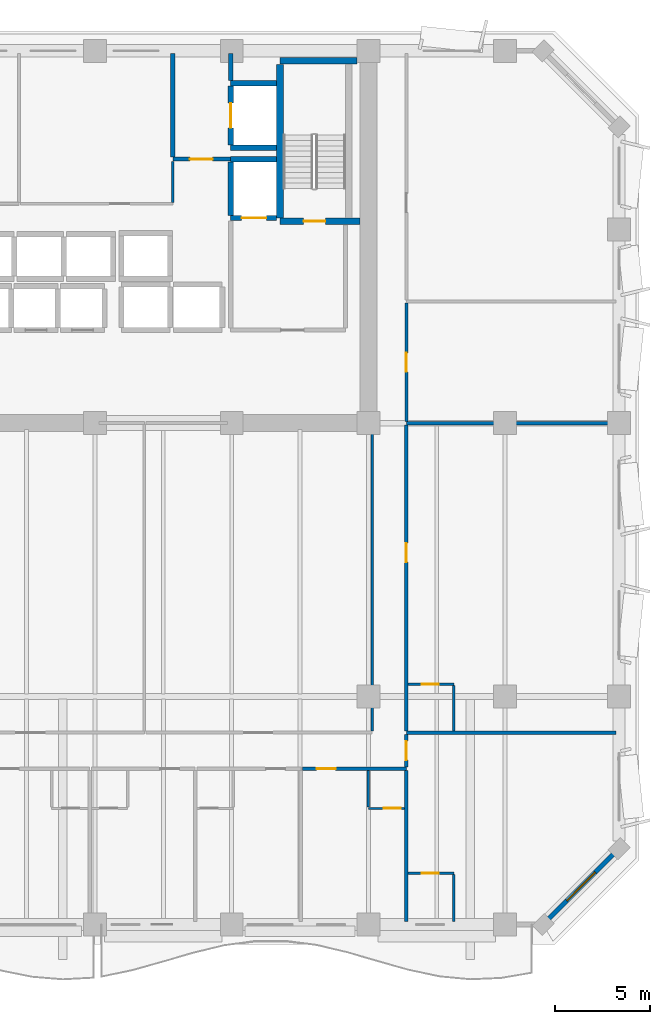
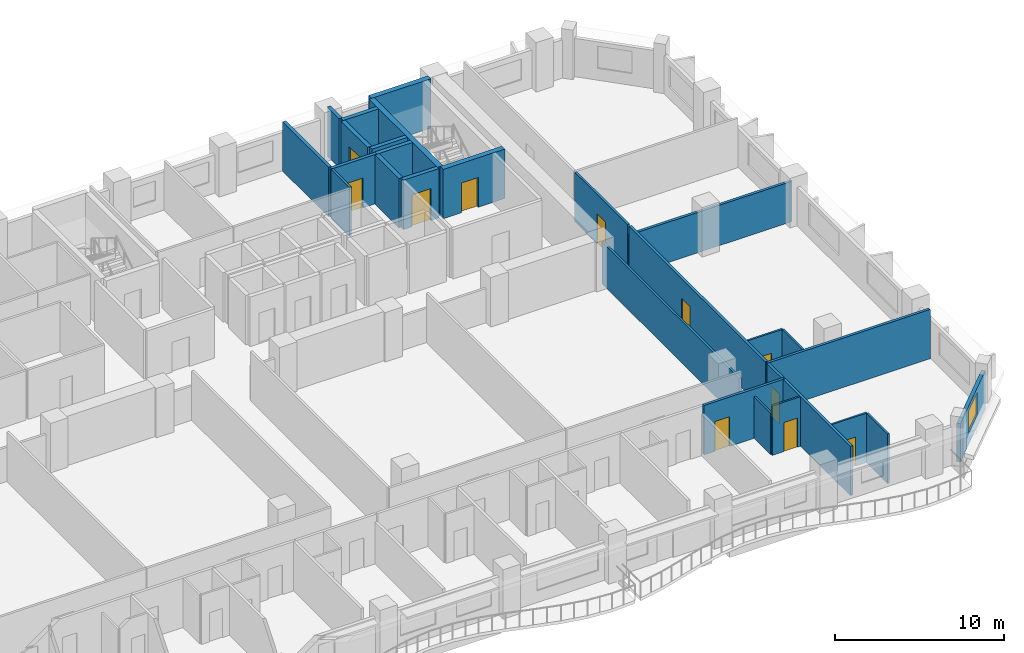
# One storey, part 9 of 15: 28 walls, 11 doors, 1 window, 12 openings.
"""IFC4 building model written with IfcOpenShell, lengths in metres."""

from ifc_helpers import new_model, si_unit, direction, frame, frame_2d, origin, place, context, subcontext, project, spatial, rectangle, extrude, material, layer, layer_set, type_object, element, fill, save


model = new_model("IFC4")

# Units and contexts
model_context = context("Model", 3, precision=1e-05, world=origin(), true_north=direction((0.0, 1.0)))
body_context = subcontext(model_context, "Body", "Model", "MODEL_VIEW")
ifc_project = project(units=[si_unit("LENGTHUNIT", "METRE"), si_unit("AREAUNIT", "SQUARE_METRE"), si_unit("VOLUMEUNIT", "CUBIC_METRE"), si_unit("PLANEANGLEUNIT", "RADIAN"), si_unit("MASSUNIT", "GRAM", prefix="KILO")], contexts=[model_context])

# Site, building, storey
site_placement = place(None, origin())
site = spatial("IfcSite", under=ifc_project, at=site_placement, CompositionType="ELEMENT")
building_placement = place(site_placement, origin())
building = spatial("IfcBuilding", under=site, at=building_placement, Name="Kaelvorn Grand Hotel", CompositionType="ELEMENT")
storey_placement = place(building_placement, frame((0.0, 0.0, 139.14990234375)))
storey = spatial("IfcBuildingStorey", under=building, at=storey_placement, Name="L33", CompositionType="ELEMENT", Elevation=139.14990234375)

# Wall, opening, window
ifc_material_1 = material(Name="Concrete C40/50", Category="concrete")
ifc_layer_1 = layer(ifc_material_1, 0.239990234375)
ifc_layer_set_1 = layer_set([ifc_layer_1], Name="Concrete C40/50")
wall_type_1 = type_object("IfcWallType", Name="WL-EXT-240-C40", PredefinedType="SOLIDWALL", material=ifc_layer_set_1)
wall_1_placement = place(storey_placement, frame((77.0, 3.0, 0.0), z_axis=(0.0, 0.0, 1.0), x_axis=(0.707106781187, 0.707106781187, 0.0)))
wall_1 = element("IfcWall", 1, at=wall_1_placement, inside=storey, type_object=wall_type_1, Name="L33 Exterior Architectural Concrete Wall 02", PredefinedType="SOLIDWALL", context=body_context, shape_type="SweptSolid", body=[
    extrude(rectangle(XDim=5.65673828125, YDim=0.239990234375, at=frame_2d((2.828369140625, 0.0))), origin(), (0.0, 0.0, 1.0), 2.760009765625),
])
opening_1_placement = place(wall_1_placement, frame((1.7783203125, 0.0, 0.85009765625)))
opening_1 = element("IfcOpeningElement", 2, at=opening_1_placement, cuts=wall_1, Name="Opening W7", PredefinedType="OPENING", context=body_context, shape_type="SweptSolid", body=[
    extrude(rectangle(XDim=2.10009765625, YDim=1.60009765625, at=frame_2d((1.050048828125, 0.800048828125))), frame((0.0, 0.1298828125, 0.0), z_axis=(0.0, -1.0, 0.0), x_axis=(1.0, 0.0, 0.0)), (0.0, 0.0, 1.0), 0.260009765625),
])
ifc_material_2 = material(Name="Laminated Low-E Glass", Category="glass")
window_type = type_object("IfcWindowType", Name="WIN-CHM-2100x1600", PartitioningType="SINGLE_PANEL", PredefinedType="WINDOW", material=ifc_material_2)
window_placement = place(opening_1_placement, origin())
window = element("IfcWindow", 3, at=window_placement, inside=storey, type_object=window_type, Name="L33 Chamfered 45-Degree Corner Window SE", OverallHeight=1.60009765625, OverallWidth=2.10009765625, PartitioningType="SINGLE_PANEL", PredefinedType="WINDOW", context=body_context, shape_type="SweptSolid", body=[
    extrude(rectangle(XDim=2.10009765625, YDim=1.60009765625, at=frame_2d((1.050048828125, 0.800048828125))), frame((0.0, 0.030029296875, 0.0), z_axis=(0.0, -1.0, 0.0), x_axis=(1.0, 0.0, 0.0)), (0.0, 0.0, 1.0), 0.06005859375),
])
fill(opening_1, window)

# Wall, opening, door
ifc_material_3 = material(Name="Moisture-Resistant Tile & Stud Board")
ifc_layer_2 = layer(ifc_material_3, 0.125)
ifc_layer_set_2 = layer_set([ifc_layer_2], Name="Moisture-Resistant Tile & Stud Board")
wall_type_2 = type_object("IfcWallType", Name="WL-PART-125-WET", PredefinedType="PARTITIONING", material=ifc_layer_set_2)
wall_2_placement = place(storey_placement, frame((67.800048828125, 9.110107421875, 0.0), z_axis=(0.0, 0.0, 1.0), x_axis=(1.0, 0.0, 0.0)))
wall_2 = element("IfcWall", 4, at=wall_2_placement, inside=storey, type_object=wall_type_2, Name="L33 En-suite Bathroom L33-10 S Partition", PredefinedType="PARTITIONING", context=body_context, shape_type="SweptSolid", body=[
    extrude(rectangle(XDim=1.905029296875, YDim=0.125, at=frame_2d((0.95263671875, 0.0))), origin(), (0.0, 0.0, 1.0), 3.56005859375),
])
opening_2_placement = place(wall_2_placement, frame((0.800048828125, 0.0, 0.0)))
opening_2 = element("IfcOpeningElement", 5, at=opening_2_placement, cuts=wall_2, Name="Opening DI4", PredefinedType="OPENING", context=body_context, shape_type="SweptSolid", body=[
    extrude(rectangle(XDim=0.89990234375, YDim=2.10009765625, at=frame_2d((0.449951171875, 1.050048828125))), frame((0.0, 0.072509765625, 0.0), z_axis=(0.0, -1.0, 0.0), x_axis=(1.0, 0.0, 0.0)), (0.0, 0.0, 1.0), 0.14501953125),
])
ifc_material_4 = material(Name="Timber Veneer Leaf", Category="wood")
door_type_1 = type_object("IfcDoorType", Name="DR-INT-BATH-900x2100", OperationType="NOTDEFINED", PredefinedType="DOOR", material=ifc_material_4)
door_1_placement = place(opening_2_placement, origin())
door_1 = element("IfcDoor", 6, at=door_1_placement, inside=storey, type_object=door_type_1, Name="L33 En-suite Bathroom L33-10 Door", OperationType="SINGLE_SWING_RIGHT", OverallHeight=2.10009765625, OverallWidth=0.89990234375, PredefinedType="DOOR", context=body_context, shape_type="SweptSolid", body=[
    extrude(rectangle(XDim=0.89990234375, YDim=2.10009765625, at=frame_2d((0.449951171875, 1.050048828125))), frame((0.0, 0.02490234375, 0.0), z_axis=(0.0, -1.0, 0.0), x_axis=(1.0, 0.0, 0.0)), (0.0, 0.0, 1.0), 0.050048828125),
])
fill(opening_2, door_1)

# Wall
wall_3_placement = place(storey_placement, frame((67.800048828125, 9.177490234375, 0.0), z_axis=(0.0, 0.0, 1.0), x_axis=(0.0, 1.0, 0.0)))
element("IfcWall", 7, at=wall_3_placement, inside=storey, type_object=wall_type_2, Name="L33 En-suite Bathroom L33-10 W Partition", PredefinedType="PARTITIONING", context=body_context, shape_type="SweptSolid", body=[
    extrude(rectangle(XDim=1.927490234375, YDim=0.125, at=frame_2d((0.9638671875, 0.0))), origin(), (0.0, 0.0, 1.0), 3.010009765625),
])

# Wall, opening, door
wall_4_placement = place(storey_placement, frame((69.89501953125, 5.699951171875, 0.0), z_axis=(0.0, 0.0, 1.0), x_axis=(1.0, 0.0, 0.0)))
wall_4 = element("IfcWall", 8, at=wall_4_placement, inside=storey, type_object=wall_type_2, Name="L33 En-suite Bathroom L33-13 N Partition", PredefinedType="PARTITIONING", context=body_context, shape_type="SweptSolid", body=[
    extrude(rectangle(XDim=2.405029296875, YDim=0.125, at=frame_2d((1.20263671875, 0.0))), origin(), (0.0, 0.0, 1.0), 3.56005859375),
])
opening_3_placement = place(wall_4_placement, frame((0.705078125, 0.0, 0.0)))
opening_3 = element("IfcOpeningElement", 9, at=opening_3_placement, cuts=wall_4, Name="Opening DI4", PredefinedType="OPENING", context=body_context, shape_type="SweptSolid", body=[
    extrude(rectangle(XDim=0.89990234375, YDim=2.10009765625, at=frame_2d((0.449951171875, 1.050048828125))), frame((0.0, 0.072509765625, 0.0), z_axis=(0.0, -1.0, 0.0), x_axis=(1.0, 0.0, 0.0)), (0.0, 0.0, 1.0), 0.14501953125),
])
door_2_placement = place(opening_3_placement, origin())
door_2 = element("IfcDoor", 10, at=door_2_placement, inside=storey, type_object=door_type_1, Name="L33 En-suite Bathroom L33-13 Door", OperationType="SINGLE_SWING_RIGHT", OverallHeight=2.10009765625, OverallWidth=0.89990234375, PredefinedType="DOOR", context=body_context, shape_type="SweptSolid", body=[
    extrude(rectangle(XDim=0.89990234375, YDim=2.10009765625, at=frame_2d((0.449951171875, 1.050048828125))), frame((0.0, 0.02490234375, 0.0), z_axis=(0.0, -1.0, 0.0), x_axis=(1.0, 0.0, 0.0)), (0.0, 0.0, 1.0), 0.050048828125),
])
fill(opening_3, door_2)

# Wall
wall_5_placement = place(storey_placement, frame((72.300048828125, 3.14990234375, 0.0), z_axis=(0.0, 0.0, 1.0), x_axis=(0.0, 1.0, 0.0)))
element("IfcWall", 11, at=wall_5_placement, inside=storey, type_object=wall_type_2, Name="L33 En-suite Bathroom L33-13 E Partition", PredefinedType="PARTITIONING", context=body_context, shape_type="SweptSolid", body=[
    extrude(rectangle(XDim=2.482666015625, YDim=0.125, at=frame_2d((1.2412109375, 0.0))), origin(), (0.0, 0.0, 1.0), 3.56005859375),
])

# Wall, opening, door
wall_6_placement = place(storey_placement, frame((69.89501953125, 15.64990234375, 0.0), z_axis=(0.0, 0.0, 1.0), x_axis=(1.0, 0.0, 0.0)))
wall_6 = element("IfcWall", 12, at=wall_6_placement, inside=storey, type_object=wall_type_2, Name="L33 En-suite Bathroom L33-14 N Partition", PredefinedType="PARTITIONING", context=body_context, shape_type="SweptSolid", body=[
    extrude(rectangle(XDim=2.405029296875, YDim=0.125, at=frame_2d((1.20263671875, 0.0))), origin(), (0.0, 0.0, 1.0), 3.56005859375),
])
opening_4_placement = place(wall_6_placement, frame((0.705078125, 0.0, 0.0)))
opening_4 = element("IfcOpeningElement", 13, at=opening_4_placement, cuts=wall_6, Name="Opening DI4", PredefinedType="OPENING", context=body_context, shape_type="SweptSolid", body=[
    extrude(rectangle(XDim=0.89990234375, YDim=2.10009765625, at=frame_2d((0.449951171875, 1.050048828125))), frame((0.0, 0.072509765625, 0.0), z_axis=(0.0, -1.0, 0.0), x_axis=(1.0, 0.0, 0.0)), (0.0, 0.0, 1.0), 0.14501953125),
])
door_3_placement = place(opening_4_placement, origin())
door_3 = element("IfcDoor", 14, at=door_3_placement, inside=storey, type_object=door_type_1, Name="L33 En-suite Bathroom L33-14 Door", OperationType="SINGLE_SWING_RIGHT", OverallHeight=2.10009765625, OverallWidth=0.89990234375, PredefinedType="DOOR", context=body_context, shape_type="SweptSolid", body=[
    extrude(rectangle(XDim=0.89990234375, YDim=2.10009765625, at=frame_2d((0.449951171875, 1.050048828125))), frame((0.0, 0.02490234375, 0.0), z_axis=(0.0, -1.0, 0.0), x_axis=(1.0, 0.0, 0.0)), (0.0, 0.0, 1.0), 0.050048828125),
])
fill(opening_4, door_3)

# Walls
wall_7_placement = place(storey_placement, frame((72.300048828125, 13.195068359375, 0.0), z_axis=(0.0, 0.0, 1.0), x_axis=(0.0, 1.0, 0.0)))
element("IfcWall", 15, at=wall_7_placement, inside=storey, type_object=wall_type_2, Name="L33 En-suite Bathroom L33-14 E Partition", PredefinedType="PARTITIONING", context=body_context, shape_type="SweptSolid", body=[
    extrude(rectangle(XDim=2.387451171875, YDim=0.125, at=frame_2d((1.19384765625, 0.0))), origin(), (0.0, 0.0, 1.0), 3.56005859375),
])
ifc_material_5 = material(Name="Acoustic Gypsum & Stud Partition")
ifc_layer_3 = layer(ifc_material_5, 0.14990234375)
ifc_layer_set_3 = layer_set([ifc_layer_3], Name="Acoustic Gypsum & Stud Partition")
wall_type_3 = type_object("IfcWallType", Name="WL-PART-150-EI60", PredefinedType="PARTITIONING", material=ifc_layer_set_3)
wall_8_placement = place(storey_placement, frame((57.5, 41.030029296875, 0.0), z_axis=(0.0, 0.0, 1.0), x_axis=(0.0, 1.0, 0.0)))
element("IfcWall", 16, at=wall_8_placement, inside=storey, type_object=wall_type_3, Name="L33 Butler Servery Pantry E Partition", PredefinedType="PARTITIONING", context=body_context, shape_type="SweptSolid", body=[
    extrude(rectangle(XDim=2.155029296875, YDim=0.14990234375, at=frame_2d((1.07763671875, 0.0))), origin(), (0.0, 0.0, 1.0), 3.56005859375),
])
wall_9_placement = place(storey_placement, frame((68.0, 13.179931640625, 0.0), z_axis=(0.0, 0.0, 1.0), x_axis=(0.0, 1.0, 0.0)))
element("IfcWall", 17, at=wall_9_placement, inside=storey, type_object=wall_type_3, Name="L33 Wellness Fitness Gym E Partition", PredefinedType="PARTITIONING", context=body_context, shape_type="SweptSolid", body=[
    extrude(rectangle(XDim=16.2099609375, YDim=0.14990234375, at=frame_2d((8.10498046875, 0.0))), origin(), (0.0, 0.0, 1.0), 3.010009765625),
])

# Wall, opening, door
wall_10_placement = place(storey_placement, frame((69.800048828125, 29.4951171875, 0.0), z_axis=(0.0, 0.0, 1.0), x_axis=(0.0, 1.0, 0.0)))
wall_10 = element("IfcWall", 18, at=wall_10_placement, inside=storey, type_object=wall_type_3, Name="L33 North-East Wellness Fitness Gym W Partition", PredefinedType="PARTITIONING", context=body_context, shape_type="SweptSolid", body=[
    extrude(rectangle(XDim=6.224853515625, YDim=0.14990234375, at=frame_2d((3.1123046875, 0.0))), origin(), (0.0, 0.0, 1.0), 3.56005859375),
])
opening_5_placement = place(wall_10_placement, frame((2.60498046875, 0.0, 0.0)))
opening_5 = element("IfcOpeningElement", 19, at=opening_5_placement, cuts=wall_10, Name="Opening DI3", PredefinedType="OPENING", context=body_context, shape_type="SweptSolid", body=[
    extrude(rectangle(XDim=1.0, YDim=2.14990234375, at=frame_2d((0.5, 1.074951171875))), frame((0.0, 0.0849609375, 0.0), z_axis=(0.0, -1.0, 0.0), x_axis=(1.0, 0.0, 0.0)), (0.0, 0.0, 1.0), 0.169921875),
])
ifc_material_6 = material(Name="Timber Veneer Fire Leaf", Category="wood")
door_type_2 = type_object("IfcDoorType", Name="DR-INT-GUEST-1000x2150", OperationType="NOTDEFINED", PredefinedType="DOOR", material=ifc_material_6)
door_4_placement = place(opening_5_placement, origin())
door_4 = element("IfcDoor", 20, at=door_4_placement, inside=storey, type_object=door_type_2, Name="L33 North-East Wellness Fitness Gym Door", OperationType="SINGLE_SWING_LEFT", OverallHeight=2.14990234375, OverallWidth=1.0, PredefinedType="DOOR", context=body_context, shape_type="SweptSolid", body=[
    extrude(rectangle(XDim=1.0, YDim=2.14990234375, at=frame_2d((0.5, 1.074951171875))), frame((0.0, 0.02490234375, 0.0), z_axis=(0.0, -1.0, 0.0), x_axis=(1.0, 0.0, 0.0)), (0.0, 0.0, 1.0), 0.050048828125),
])
fill(opening_5, door_4)

ifc_layer_4 = layer(ifc_material_5, 0.179931640625)
ifc_layer_set_4 = layer_set([ifc_layer_4], Name="Acoustic Gypsum & Stud Partition")
wall_type_4 = type_object("IfcWallType", Name="WL-PART-180-EI60", PredefinedType="PARTITIONING", material=ifc_layer_set_4)
wall_11_placement = place(storey_placement, frame((64.3349609375, 11.199951171875, 0.0), z_axis=(0.0, 0.0, 1.0), x_axis=(1.0, 0.0, 0.0)))
wall_11 = element("IfcWall", 21, at=wall_11_placement, inside=storey, type_object=wall_type_4, Name="L33 Superior King Guest Room L33-10 N Partition", PredefinedType="PARTITIONING", context=body_context, shape_type="SweptSolid", body=[
    extrude(rectangle(XDim=5.465087890625, YDim=0.179931640625, at=frame_2d((2.732421875, 0.0))), origin(), (0.0, 0.0, 1.0), 3.56005859375),
])
opening_6_placement = place(wall_11_placement, frame((0.735107421875, 0.0, 0.0)))
opening_6 = element("IfcOpeningElement", 22, at=opening_6_placement, cuts=wall_11, Name="Opening DI3", PredefinedType="OPENING", context=body_context, shape_type="SweptSolid", body=[
    extrude(rectangle(XDim=1.0, YDim=2.14990234375, at=frame_2d((0.5, 1.074951171875))), frame((0.0, 0.10009765625, 0.0), z_axis=(0.0, -1.0, 0.0), x_axis=(1.0, 0.0, 0.0)), (0.0, 0.0, 1.0), 0.199951171875),
])
door_5_placement = place(opening_6_placement, origin())
door_5 = element("IfcDoor", 23, at=door_5_placement, inside=storey, type_object=door_type_2, Name="L33 Superior King Guest Room L33-10 Door", OperationType="SINGLE_SWING_LEFT", OverallHeight=2.14990234375, OverallWidth=1.0, PredefinedType="DOOR", context=body_context, shape_type="SweptSolid", body=[
    extrude(rectangle(XDim=1.0, YDim=2.14990234375, at=frame_2d((0.5, 1.074951171875))), frame((0.0, 0.02490234375, 0.0), z_axis=(0.0, -1.0, 0.0), x_axis=(1.0, 0.0, 0.0)), (0.0, 0.0, 1.0), 0.050048828125),
])
fill(opening_6, door_5)

# Walls
wall_12_placement = place(storey_placement, frame((69.800048828125, 3.14990234375, 0.0), z_axis=(0.0, 0.0, 1.0), x_axis=(0.0, 1.0, 0.0)))
element("IfcWall", 24, at=wall_12_placement, inside=storey, type_object=wall_type_4, Name="L33 Superior King Guest Room L33-10 E Partition", PredefinedType="PARTITIONING", context=body_context, shape_type="SweptSolid", body=[
    extrude(rectangle(XDim=7.955078125, YDim=0.179931640625, at=frame_2d((3.9775390625, 0.0))), origin(), (0.0, 0.0, 1.0), 3.56005859375),
])
wall_13_placement = place(storey_placement, frame((69.800048828125, 13.10009765625, 0.0), z_axis=(0.0, 0.0, 1.0), x_axis=(1.0, 0.0, 0.0)))
element("IfcWall", 25, at=wall_13_placement, inside=storey, type_object=wall_type_4, Name="L33 South-East Chamfer Suite L33-13 N Partition", PredefinedType="PARTITIONING", context=body_context, shape_type="SweptSolid", body=[
    extrude(rectangle(XDim=11.050048828125, YDim=0.179931640625, at=frame_2d((5.52490234375, 0.0))), origin(), (0.0, 0.0, 1.0), 3.56005859375),
])

# Wall, opening, door
wall_14_placement = place(storey_placement, frame((69.800048828125, 11.294921875, 0.0), z_axis=(0.0, 0.0, 1.0), x_axis=(0.0, 1.0, 0.0)))
wall_14 = element("IfcWall", 26, at=wall_14_placement, inside=storey, type_object=wall_type_4, Name="L33 South-East Chamfer Suite L33-13 W Partition", PredefinedType="PARTITIONING", context=body_context, shape_type="SweptSolid", body=[
    extrude(rectangle(XDim=1.7099609375, YDim=0.179931640625, at=frame_2d((0.85498046875, 0.0))), origin(), (0.0, 0.0, 1.0), 3.56005859375),
])
opening_7_placement = place(wall_14_placement, frame((0.35498046875, 0.0, 0.0)))
opening_7 = element("IfcOpeningElement", 27, at=opening_7_placement, cuts=wall_14, Name="Opening DI3", PredefinedType="OPENING", context=body_context, shape_type="SweptSolid", body=[
    extrude(rectangle(XDim=1.0, YDim=2.14990234375, at=frame_2d((0.5, 1.074951171875))), frame((0.0, 0.10009765625, 0.0), z_axis=(0.0, -1.0, 0.0), x_axis=(1.0, 0.0, 0.0)), (0.0, 0.0, 1.0), 0.199951171875),
])
door_6_placement = place(opening_7_placement, origin())
door_6 = element("IfcDoor", 28, at=door_6_placement, inside=storey, type_object=door_type_2, Name="L33 South-East Chamfer Suite L33-13 Door", OperationType="SINGLE_SWING_LEFT", OverallHeight=2.14990234375, OverallWidth=1.0, PredefinedType="DOOR", context=body_context, shape_type="SweptSolid", body=[
    extrude(rectangle(XDim=1.0, YDim=2.14990234375, at=frame_2d((0.5, 1.074951171875))), frame((0.0, 0.02490234375, 0.0), z_axis=(0.0, -1.0, 0.0), x_axis=(1.0, 0.0, 0.0)), (0.0, 0.0, 1.0), 0.050048828125),
])
fill(opening_7, door_6)

# Wall
wall_15_placement = place(storey_placement, frame((69.800048828125, 29.39990234375, 0.0), z_axis=(0.0, 0.0, 1.0), x_axis=(1.0, 0.0, 0.0)))
element("IfcWall", 29, at=wall_15_placement, inside=storey, type_object=wall_type_4, Name="L33 East End Panoramic Suite L33-14 N Partition", PredefinedType="PARTITIONING", context=body_context, shape_type="SweptSolid", body=[
    extrude(rectangle(XDim=11.050048828125, YDim=0.179931640625, at=frame_2d((5.52490234375, 0.0))), origin(), (0.0, 0.0, 1.0), 2.91015625),
])

# Wall, opening, door
wall_16_placement = place(storey_placement, frame((69.800048828125, 13.195068359375, 0.0), z_axis=(0.0, 0.0, 1.0), x_axis=(0.0, 1.0, 0.0)))
wall_16 = element("IfcWall", 30, at=wall_16_placement, inside=storey, type_object=wall_type_4, Name="L33 East End Panoramic Suite L33-14 W Partition", PredefinedType="PARTITIONING", context=body_context, shape_type="SweptSolid", body=[
    extrude(rectangle(XDim=16.10986328125, YDim=0.179931640625, at=frame_2d((8.054931640625, 0.0))), origin(), (0.0, 0.0, 1.0), 3.56005859375),
])
opening_8_placement = place(wall_16_placement, frame((8.889892578125, 0.0, 0.0)))
opening_8 = element("IfcOpeningElement", 31, at=opening_8_placement, cuts=wall_16, Name="Opening DI3", PredefinedType="OPENING", context=body_context, shape_type="SweptSolid", body=[
    extrude(rectangle(XDim=1.0, YDim=2.14990234375, at=frame_2d((0.5, 1.074951171875))), frame((0.0, 0.10009765625, 0.0), z_axis=(0.0, -1.0, 0.0), x_axis=(1.0, 0.0, 0.0)), (0.0, 0.0, 1.0), 0.199951171875),
])
door_7_placement = place(opening_8_placement, origin())
door_7 = element("IfcDoor", 32, at=door_7_placement, inside=storey, type_object=door_type_2, Name="L33 East End Panoramic Suite L33-14 Door", OperationType="SINGLE_SWING_LEFT", OverallHeight=2.14990234375, OverallWidth=1.0, PredefinedType="DOOR", context=body_context, shape_type="SweptSolid", body=[
    extrude(rectangle(XDim=1.0, YDim=2.14990234375, at=frame_2d((0.5, 1.074951171875))), frame((0.0, 0.02490234375, 0.0), z_axis=(0.0, -1.0, 0.0), x_axis=(1.0, 0.0, 0.0)), (0.0, 0.0, 1.0), 0.050048828125),
])
fill(opening_8, door_7)

ifc_layer_5 = layer(ifc_material_1, 0.219970703125)
ifc_layer_set_5 = layer_set([ifc_layer_5], Name="Concrete C40/50")
wall_type_5 = type_object("IfcWallType", Name="WL-PART-220-EI120", PredefinedType="PARTITIONING", material=ifc_layer_set_5)
wall_17_placement = place(storey_placement, frame((57.5, 43.300048828125, 0.0), z_axis=(0.0, 0.0, 1.0), x_axis=(1.0, 0.0, 0.0)))
wall_17 = element("IfcWall", 33, at=wall_17_placement, inside=storey, type_object=wall_type_5, Name="L33 Service Lift Lobby S Partition", PredefinedType="PARTITIONING", context=body_context, shape_type="SweptSolid", body=[
    extrude(rectangle(XDim=3.0400390625, YDim=0.219970703125, at=frame_2d((1.52001953125, 0.0))), origin(), (0.0, 0.0, 1.0), 3.56005859375),
])
opening_9_placement = place(wall_17_placement, frame((0.89990234375, 0.0, 0.0)))
opening_9 = element("IfcOpeningElement", 34, at=opening_9_placement, cuts=wall_17, Name="Opening DI2", PredefinedType="OPENING", context=body_context, shape_type="SweptSolid", body=[
    extrude(rectangle(XDim=1.199951171875, YDim=2.14990234375, at=frame_2d((0.60009765625, 1.074951171875))), frame((0.0, 0.1201171875, 0.0), z_axis=(0.0, -1.0, 0.0), x_axis=(1.0, 0.0, 0.0)), (0.0, 0.0, 1.0), 0.239990234375),
])
door_type_3 = type_object("IfcDoorType", Name="DR-INT-FFLOB-1200x2150", OperationType="NOTDEFINED", PredefinedType="DOOR", material=ifc_material_6)
door_8_placement = place(opening_9_placement, origin())
door_8 = element("IfcDoor", 35, at=door_8_placement, inside=storey, type_object=door_type_3, Name="L33 Service Lift Lobby Door", OperationType="SINGLE_SWING_LEFT", OverallHeight=2.14990234375, OverallWidth=1.199951171875, PredefinedType="DOOR", context=body_context, shape_type="SweptSolid", body=[
    extrude(rectangle(XDim=1.199951171875, YDim=2.14990234375, at=frame_2d((0.60009765625, 1.074951171875))), frame((0.0, 0.02490234375, 0.0), z_axis=(0.0, -1.0, 0.0), x_axis=(1.0, 0.0, 0.0)), (0.0, 0.0, 1.0), 0.050048828125),
])
fill(opening_9, door_8)

# Walls
wall_18_placement = place(storey_placement, frame((57.5, 43.4150390625, 0.0), z_axis=(0.0, 0.0, 1.0), x_axis=(0.0, 1.0, 0.0)))
element("IfcWall", 36, at=wall_18_placement, inside=storey, type_object=wall_type_5, Name="L33 Service Lift Lobby W Partition", PredefinedType="PARTITIONING", context=body_context, shape_type="SweptSolid", body=[
    extrude(rectangle(XDim=5.43505859375, YDim=0.219970703125, at=frame_2d((2.717529296875, 0.0))), origin(), (0.0, 0.0, 1.0), 3.56005859375),
])
wall_19_placement = place(storey_placement, frame((60.550048828125, 47.445068359375, 0.0), z_axis=(0.0, 0.0, 1.0), x_axis=(0.0, 1.0, 0.0)))
element("IfcWall", 37, at=wall_19_placement, inside=storey, type_object=wall_type_5, Name="L33 Service Lift Lobby E Partition", PredefinedType="PARTITIONING", context=body_context, shape_type="SweptSolid", body=[
    extrude(rectangle(XDim=1.405029296875, YDim=0.219970703125, at=frame_2d((0.70263671875, 0.0))), origin(), (0.0, 0.0, 1.0), 3.56005859375),
])

# Wall, opening, door
ifc_material_7 = material(Name="Concrete C50/60", Category="concrete")
ifc_layer_6 = layer(ifc_material_7, 0.280029296875)
ifc_layer_set_6 = layer_set([ifc_layer_6], Name="Concrete C50/60")
wall_type_6 = type_object("IfcWallType", Name="WL-SHAFT-280-C50", PredefinedType="SHEAR", material=ifc_layer_set_6)
wall_20_placement = place(storey_placement, frame((60.550048828125, 40.199951171875, 0.0), z_axis=(0.0, 0.0, 1.0), x_axis=(1.0, 0.0, 0.0)))
wall_20 = element("IfcWall", 38, at=wall_20_placement, inside=storey, type_object=wall_type_6, Name="L33 Lift FFL2 Shaft South Wall", PredefinedType="SHEAR", context=body_context, shape_type="SweptSolid", body=[
    extrude(rectangle(XDim=2.4150390625, YDim=0.280029296875, at=frame_2d((1.20751953125, 0.0))), origin(), (0.0, 0.0, 1.0), 3.56005859375),
])
opening_10_placement = place(wall_20_placement, frame((0.574951171875, 0.0, 0.0)))
opening_10 = element("IfcOpeningElement", 39, at=opening_10_placement, cuts=wall_20, Name="Opening LD-FFL2", PredefinedType="OPENING", context=body_context, shape_type="SweptSolid", body=[
    extrude(rectangle(XDim=1.300048828125, YDim=2.300048828125, at=frame_2d((0.64990234375, 1.14990234375))), frame((0.0, 0.14990234375, 0.0), z_axis=(0.0, -1.0, 0.0), x_axis=(1.0, 0.0, 0.0)), (0.0, 0.0, 1.0), 0.300048828125),
])
ifc_material_8 = material(Name="Stainless Steel", Category="steel")
door_type_4 = type_object("IfcDoorType", Name="DR-LIFT-SERV-1300x2300", OperationType="DOUBLE_DOOR_SLIDING", PredefinedType="DOOR", material=ifc_material_8)
door_9_placement = place(opening_10_placement, origin())
door_9 = element("IfcDoor", 40, at=door_9_placement, inside=storey, type_object=door_type_4, Name="L33 Lift FFL2 Sliding Landing Door LD-FFL2", OperationType="DOUBLE_DOOR_SLIDING", OverallHeight=2.300048828125, OverallWidth=1.300048828125, PredefinedType="DOOR", context=body_context, shape_type="SweptSolid", body=[
    extrude(rectangle(XDim=1.300048828125, YDim=2.300048828125, at=frame_2d((0.64990234375, 1.14990234375))), frame((0.0, 0.02490234375, 0.0), z_axis=(0.0, -1.0, 0.0), x_axis=(1.0, 0.0, 0.0)), (0.0, 0.0, 1.0), 0.050048828125),
])
fill(opening_10, door_9)

# Walls
wall_21_placement = place(storey_placement, frame((60.550048828125, 43.300048828125, 0.0), z_axis=(0.0, 0.0, 1.0), x_axis=(1.0, 0.0, 0.0)))
element("IfcWall", 41, at=wall_21_placement, inside=storey, type_object=wall_type_6, Name="L33 Lift FFL2 Shaft North Wall", PredefinedType="SHEAR", context=body_context, shape_type="SweptSolid", body=[
    extrude(rectangle(XDim=2.4150390625, YDim=0.280029296875, at=frame_2d((1.20751953125, 0.0))), origin(), (0.0, 0.0, 1.0), 3.56005859375),
])
wall_22_placement = place(storey_placement, frame((60.550048828125, 40.344970703125, 0.0), z_axis=(0.0, 0.0, 1.0), x_axis=(0.0, 1.0, 0.0)))
element("IfcWall", 42, at=wall_22_placement, inside=storey, type_object=wall_type_6, Name="L33 Lift FFL2 Shaft West Wall", PredefinedType="SHEAR", context=body_context, shape_type="SweptSolid", body=[
    extrude(rectangle(XDim=2.81005859375, YDim=0.280029296875, at=frame_2d((1.405029296875, 0.0))), origin(), (0.0, 0.0, 1.0), 3.56005859375),
])
for number, where, z_axis, x_axis, name in (
    (43, (60.550048828125, 43.89990234375, 0.0), (0.0, 0.0, 1.0), (1.0, 0.0, 0.0), "L33 Lift SV1 Shaft South Wall"),
    (44, (60.550048828125, 47.300048828125, 0.0), (0.0, 0.0, 1.0), (1.0, 0.0, 0.0), "L33 Lift SV1 Shaft North Wall"),
):
    element("IfcWall", number, at=place(storey_placement, frame(where, z_axis=z_axis, x_axis=x_axis)), inside=storey, type_object=wall_type_6, Name=name, PredefinedType="SHEAR", context=body_context, shape_type="SweptSolid", body=[
        extrude(rectangle(XDim=2.4150390625, YDim=0.280029296875, at=frame_2d((1.20751953125, 0.0))), origin(), (0.0, 0.0, 1.0), 3.56005859375),
    ])

# Wall, opening, door
wall_23_placement = place(storey_placement, frame((60.550048828125, 44.044921875, 0.0), z_axis=(0.0, 0.0, 1.0), x_axis=(0.0, 1.0, 0.0)))
wall_23 = element("IfcWall", 45, at=wall_23_placement, inside=storey, type_object=wall_type_6, Name="L33 Lift SV1 Shaft West Wall", PredefinedType="SHEAR", context=body_context, shape_type="SweptSolid", body=[
    extrude(rectangle(XDim=3.110107421875, YDim=0.280029296875, at=frame_2d((1.55517578125, 0.0))), origin(), (0.0, 0.0, 1.0), 3.56005859375),
])
opening_11_placement = place(wall_23_placement, frame((0.905029296875, 0.0, 0.0)))
opening_11 = element("IfcOpeningElement", 46, at=opening_11_placement, cuts=wall_23, Name="Opening LD-SV1", PredefinedType="OPENING", context=body_context, shape_type="SweptSolid", body=[
    extrude(rectangle(XDim=1.300048828125, YDim=2.300048828125, at=frame_2d((0.64990234375, 1.14990234375))), frame((0.0, 0.14990234375, 0.0), z_axis=(0.0, -1.0, 0.0), x_axis=(1.0, 0.0, 0.0)), (0.0, 0.0, 1.0), 0.300048828125),
])
door_10_placement = place(opening_11_placement, origin())
door_10 = element("IfcDoor", 47, at=door_10_placement, inside=storey, type_object=door_type_4, Name="L33 Lift SV1 Sliding Landing Door LD-SV1", OperationType="DOUBLE_DOOR_SLIDING", OverallHeight=2.300048828125, OverallWidth=1.300048828125, PredefinedType="DOOR", context=body_context, shape_type="SweptSolid", body=[
    extrude(rectangle(XDim=1.300048828125, YDim=2.300048828125, at=frame_2d((0.64990234375, 1.14990234375))), frame((0.0, 0.02490234375, 0.0), z_axis=(0.0, -1.0, 0.0), x_axis=(1.0, 0.0, 0.0)), (0.0, 0.0, 1.0), 0.050048828125),
])
fill(opening_11, door_10)

ifc_material_9 = material(Name="Concrete C60/75", Category="concrete")
ifc_layer_7 = layer(ifc_material_9, 0.35009765625)
ifc_layer_set_7 = layer_set([ifc_layer_7], Name="Concrete C60/75")
wall_type_7 = type_object("IfcWallType", Name="WL-SHAFT-350-C60", PredefinedType="SHEAR", material=ifc_layer_set_7)
wall_24_placement = place(storey_placement, frame((63.14501953125, 40.02490234375, 0.0), z_axis=(0.0, 0.0, 1.0), x_axis=(1.0, 0.0, 0.0)))
wall_24 = element("IfcWall", 48, at=wall_24_placement, inside=storey, type_object=wall_type_7, Name="L33 ST3 Stair Shaft South Wall", PredefinedType="SHEAR", context=body_context, shape_type="SweptSolid", body=[
    extrude(rectangle(XDim=4.199951171875, YDim=0.35009765625, at=frame_2d((2.10009765625, 0.0))), origin(), (0.0, 0.0, 1.0), 3.56005859375),
])
opening_12_placement = place(wall_24_placement, frame((1.239990234375, 0.0, 0.0)))
opening_12 = element("IfcOpeningElement", 49, at=opening_12_placement, cuts=wall_24, Name="Opening DI1", PredefinedType="OPENING", context=body_context, shape_type="SweptSolid", body=[
    extrude(rectangle(XDim=1.14990234375, YDim=2.14990234375, at=frame_2d((0.574951171875, 1.074951171875))), frame((0.0, 0.18505859375, 0.0), z_axis=(0.0, -1.0, 0.0), x_axis=(1.0, 0.0, 0.0)), (0.0, 0.0, 1.0), 0.3701171875),
])
door_type_5 = type_object("IfcDoorType", Name="DR-INT-STAIR-1150x2150", OperationType="NOTDEFINED", PredefinedType="DOOR", material=ifc_material_6)
door_11_placement = place(opening_12_placement, origin())
door_11 = element("IfcDoor", 50, at=door_11_placement, inside=storey, type_object=door_type_5, Name="L33 ST3 Exit Stair Fire Door", OperationType="SINGLE_SWING_LEFT", OverallHeight=2.14990234375, OverallWidth=1.14990234375, PredefinedType="DOOR", context=body_context, shape_type="SweptSolid", body=[
    extrude(rectangle(XDim=1.14990234375, YDim=2.14990234375, at=frame_2d((0.574951171875, 1.074951171875))), frame((0.0, 0.02490234375, 0.0), z_axis=(0.0, -1.0, 0.0), x_axis=(1.0, 0.0, 0.0)), (0.0, 0.0, 1.0), 0.050048828125),
])
fill(opening_12, door_11)

# Walls
wall_25_placement = place(storey_placement, frame((63.14501953125, 48.47509765625, 0.0), z_axis=(0.0, 0.0, 1.0), x_axis=(1.0, 0.0, 0.0)))
element("IfcWall", 51, at=wall_25_placement, inside=storey, type_object=wall_type_7, Name="L33 ST3 Stair Shaft North Wall", PredefinedType="SHEAR", context=body_context, shape_type="SweptSolid", body=[
    extrude(rectangle(XDim=4.050048828125, YDim=0.35009765625, at=frame_2d((2.02490234375, 0.0))), origin(), (0.0, 0.0, 1.0), 3.56005859375),
])
wall_26_placement = place(storey_placement, frame((63.14501953125, 40.205078125, 0.0), z_axis=(0.0, 0.0, 1.0), x_axis=(0.0, 1.0, 0.0)))
element("IfcWall", 52, at=wall_26_placement, inside=storey, type_object=wall_type_7, Name="L33 ST3 Stair Shaft West Wall", PredefinedType="SHEAR", context=body_context, shape_type="SweptSolid", body=[
    extrude(rectangle(XDim=8.08984375, YDim=0.35009765625, at=frame_2d((4.044921875, 0.0))), origin(), (0.0, 0.0, 1.0), 3.56005859375),
])

save(model, "model.ifc")
